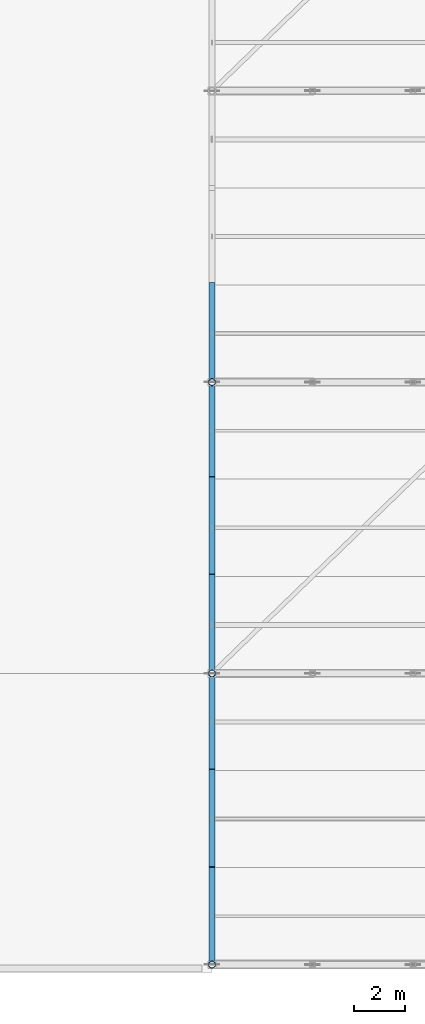
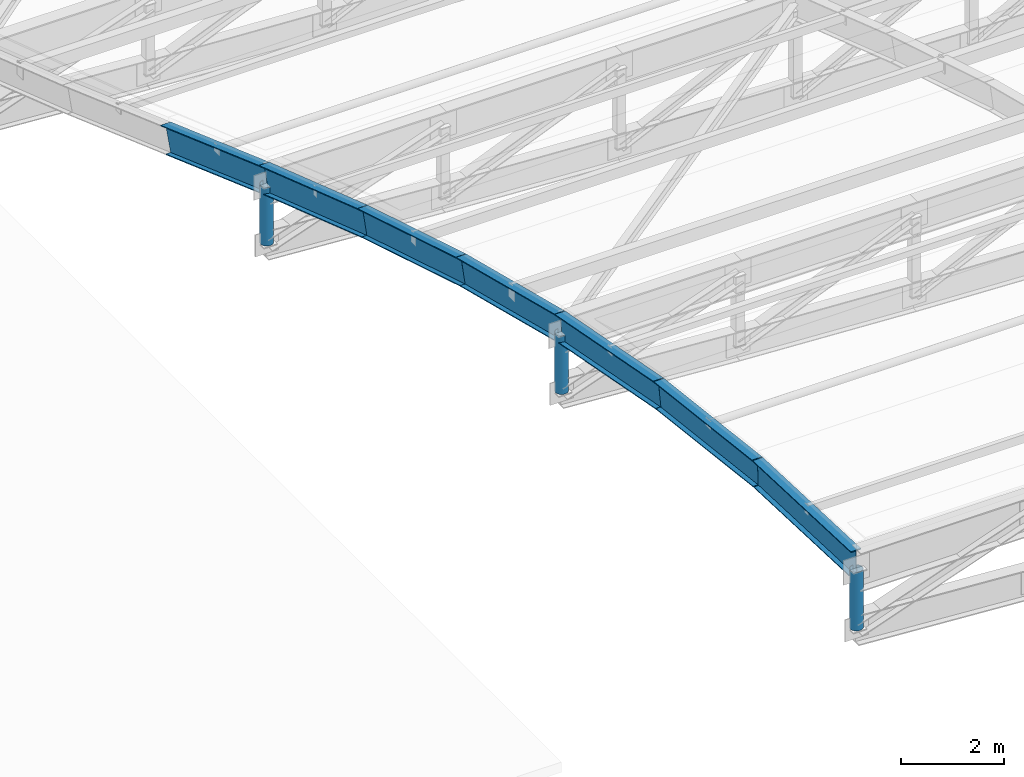
# One storey, part 2 of 65: 10 members.
"""IFC4 building model written with IfcOpenShell, lengths in metres."""

from ifc_helpers import new_model, si_unit, direction, frame, origin, origin_2d, place, context, subcontext, project, spatial, hollow_circle, i_section, extrude, material, material_profile, profile_set, type_object, element, save


model = new_model("IFC4")

# Units and contexts
model_context = context("Model", 3, precision=1e-05, world=origin(), true_north=direction((0.0, 1.0)))
body_context = subcontext(model_context, "Body", "Model", "MODEL_VIEW")
ifc_project = project(units=[si_unit("LENGTHUNIT", "METRE"), si_unit("AREAUNIT", "SQUARE_METRE"), si_unit("VOLUMEUNIT", "CUBIC_METRE"), si_unit("PLANEANGLEUNIT", "RADIAN"), si_unit("MASSUNIT", "GRAM", prefix="KILO"), si_unit("POWERUNIT", "WATT"), si_unit("THERMODYNAMICTEMPERATUREUNIT", "KELVIN")], contexts=[model_context])

# Site, building, storey
site_placement = place(None, origin())
site = spatial("IfcSite", under=ifc_project, at=site_placement, CompositionType="ELEMENT")
building_placement = place(site_placement, origin())
building = spatial("IfcBuilding", under=site, at=building_placement, Name="Kelmbourne Parkland Aquatics Centre", CompositionType="ELEMENT")
storey_placement = place(building_placement, frame((0.0, 0.0, 27.0)))
storey = spatial("IfcBuildingStorey", under=building, at=storey_placement, Name="RF", CompositionType="ELEMENT", Elevation=27.0)

# Members
ifc_material_1 = material(Name="Structural steel AS/NZS 3679.1 Grade 300", Category="steel")
ifc_material_profile_1 = material_profile(ifc_material_1, i_section(OverallWidth=0.22900390625, OverallDepth=0.612060546875, WebThickness=0.011962890625, FlangeThickness=0.01953125, at=origin_2d()), Name="610UB125")
ifc_profile_set_1 = profile_set([ifc_material_profile_1], Name="Structural steel AS/NZS 3679.1 Grade 300")
member_type_1 = type_object("IfcMemberType", Name="MB-LRIB", PredefinedType="STRUT", material=ifc_profile_set_1)
member_1_placement = place(storey_placement, frame((128.0, 0.800048828125, -0.699951171875), z_axis=(0.0, 0.999192218412, -0.040185951091), x_axis=(-1.0, 0.0, 0.0)))
element("IfcMember", 1, at=member_1_placement, inside=storey, type_object=member_type_1, Name="Longitudinal wave rib K0 strip 01", PredefinedType="STRUT", context=body_context, shape_type="SweptSolid", body=[
    extrude(i_section(OverallWidth=0.22900390625, OverallDepth=0.612060546875, WebThickness=0.011962890625, FlangeThickness=0.01953125, at=origin_2d()), origin(), (0.0, 0.0, 1.0), 3.80322265625),
])
member_2_placement = place(storey_placement, frame((128.0, 4.60009765625, -0.852783203125), z_axis=(0.0, 0.993017132062, -0.117970231122), x_axis=(-1.0, 0.0, 0.0)))
element("IfcMember", 2, at=member_2_placement, inside=storey, type_object=member_type_1, Name="Longitudinal wave rib K0 strip 02", PredefinedType="STRUT", context=body_context, shape_type="SweptSolid", body=[
    extrude(i_section(OverallWidth=0.22900390625, OverallDepth=0.612060546875, WebThickness=0.011962890625, FlangeThickness=0.01953125, at=origin_2d()), origin(), (0.0, 0.0, 1.0), 3.826416015625),
])
member_3_placement = place(storey_placement, frame((128.0, 8.39990234375, -1.30419921875), z_axis=(0.0, 0.982207978327, -0.187796398555), x_axis=(-1.0, 0.0, 0.0)))
element("IfcMember", 3, at=member_3_placement, inside=storey, type_object=member_type_1, Name="Longitudinal wave rib K0 strip 03", PredefinedType="STRUT", context=body_context, shape_type="SweptSolid", body=[
    extrude(i_section(OverallWidth=0.22900390625, OverallDepth=0.612060546875, WebThickness=0.011962890625, FlangeThickness=0.01953125, at=origin_2d()), origin(), (0.0, 0.0, 1.0), 3.868896484375),
])
member_4_placement = place(storey_placement, frame((128.0, 12.199951171875, -2.03076171875), z_axis=(0.0, 0.96918642233, -0.246328396193), x_axis=(-1.0, 0.0, 0.0)))
element("IfcMember", 4, at=member_4_placement, inside=storey, type_object=member_type_1, Name="Longitudinal wave rib K0 strip 04", PredefinedType="STRUT", context=body_context, shape_type="SweptSolid", body=[
    extrude(i_section(OverallWidth=0.22900390625, OverallDepth=0.612060546875, WebThickness=0.011962890625, FlangeThickness=0.01953125, at=origin_2d()), origin(), (0.0, 0.0, 1.0), 3.9208984375),
])
member_5_placement = place(storey_placement, frame((128.0, 16.0, -2.99658203125), z_axis=(0.0, 0.956659736605, -0.291208084294), x_axis=(-1.0, 0.0, 0.0)))
element("IfcMember", 5, at=member_5_placement, inside=storey, type_object=member_type_1, Name="Longitudinal wave rib K0 strip 05", PredefinedType="STRUT", context=body_context, shape_type="SweptSolid", body=[
    extrude(i_section(OverallWidth=0.22900390625, OverallDepth=0.612060546875, WebThickness=0.011962890625, FlangeThickness=0.01953125, at=origin_2d()), origin(), (0.0, 0.0, 1.0), 3.97216796875),
])
member_6_placement = place(storey_placement, frame((128.0, 19.800048828125, -4.1533203125), z_axis=(0.0, 0.946978369756, -0.321297319029), x_axis=(-1.0, 0.0, 0.0)))
element("IfcMember", 6, at=member_6_placement, inside=storey, type_object=member_type_1, Name="Longitudinal wave rib K0 strip 06", PredefinedType="STRUT", context=body_context, shape_type="SweptSolid", body=[
    extrude(i_section(OverallWidth=0.22900390625, OverallDepth=0.612060546875, WebThickness=0.011962890625, FlangeThickness=0.01953125, at=origin_2d()), origin(), (0.0, 0.0, 1.0), 4.0126953125),
])
member_7_placement = place(storey_placement, frame((128.0, 23.60009765625, -5.442626953125), z_axis=(0.0, 0.941714530219, -0.336413055), x_axis=(-1.0, 0.0, 0.0)))
element("IfcMember", 7, at=member_7_placement, inside=storey, type_object=member_type_1, Name="Longitudinal wave rib K0 strip 07", PredefinedType="STRUT", context=body_context, shape_type="SweptSolid", body=[
    extrude(i_section(OverallWidth=0.22900390625, OverallDepth=0.612060546875, WebThickness=0.011962890625, FlangeThickness=0.01953125, at=origin_2d()), origin(), (0.0, 0.0, 1.0), 4.034912109375),
])
ifc_material_2 = material(Name="Cold-formed hollow steel AS/NZS 1163 C350L0", Category="steel")
ifc_material_profile_2 = material_profile(ifc_material_2, hollow_circle(Radius=0.136474609375, WallThickness=0.00927734375, at=origin_2d()), Name="CHS 273.1x9.3")
ifc_profile_set_2 = profile_set([ifc_material_profile_2], Name="Cold-formed hollow steel AS/NZS 1163 C350L0")
member_type_2 = type_object("IfcMemberType", Name="MB-POST2", PredefinedType="STRUT", material=ifc_profile_set_2)
for number, where, z_axis, x_axis, name in (
    (8, (128.0, 0.800048828125, -2.199951171875), (0.0, 0.0, 1.0), (1.0, 0.0, 0.0), "Roof truss R00 vertical post 0"),
    (9, (128.0, 12.199951171875, -3.53076171875), (0.0, 0.0, 1.0), (1.0, 0.0, 0.0), "Roof truss R01 vertical post 0"),
):
    element("IfcMember", number, at=place(storey_placement, frame(where, z_axis=z_axis, x_axis=x_axis)), inside=storey, type_object=member_type_2, Name=name, PredefinedType="STRUT", context=body_context, shape_type="SweptSolid", body=[
        extrude(hollow_circle(Radius=0.136474609375, WallThickness=0.00927734375, at=origin_2d()), origin(), (0.0, 0.0, 1.0), 1.3798828125),
    ])
member_8_placement = place(storey_placement, frame((128.0, 23.60009765625, -6.942626953125), z_axis=(0.0, 0.0, 1.0), x_axis=(1.0, 0.0, 0.0)))
element("IfcMember", 10, at=member_8_placement, inside=storey, type_object=member_type_2, Name="Roof truss R02 vertical post 0", PredefinedType="STRUT", context=body_context, shape_type="SweptSolid", body=[
    extrude(hollow_circle(Radius=0.136474609375, WallThickness=0.00927734375, at=origin_2d()), origin(), (0.0, 0.0, 1.0), 1.380126953125),
])

save(model, "model.ifc")
